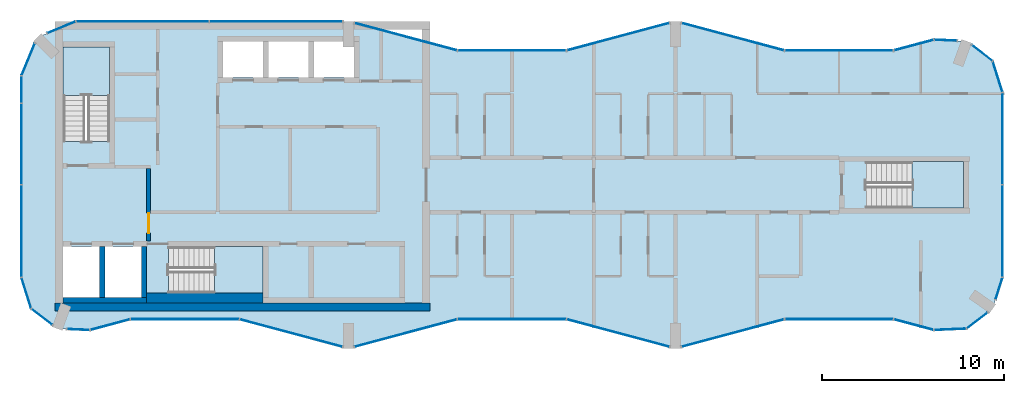
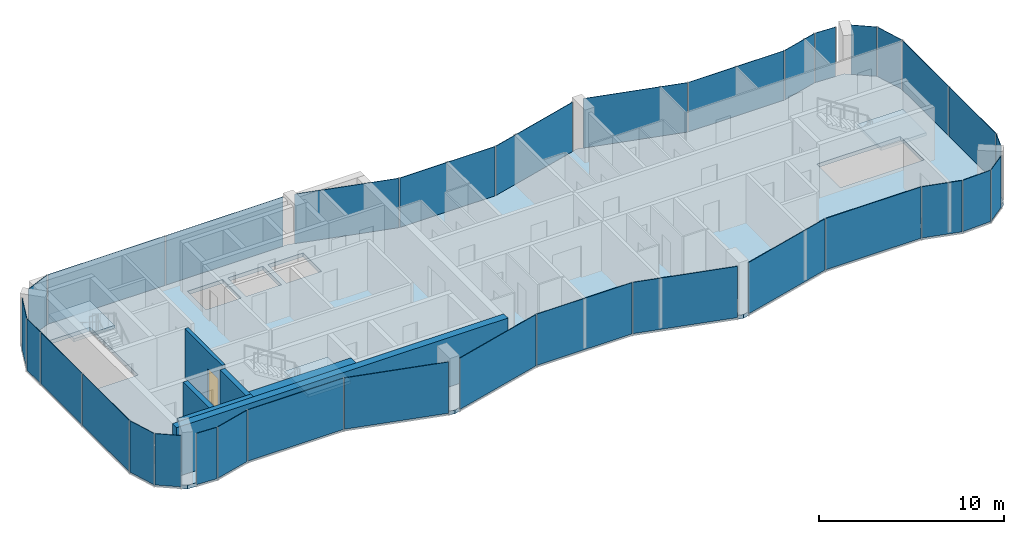
# One storey, part 6 of 10: 33 plates, 6 walls, 4 slabs, 1 door, 1 opening, 32 elements without a shape of their own.
"""IFC4 building model written with IfcOpenShell, lengths in metres."""

from ifc_helpers import new_model, si_unit, direction, frame, frame_2d, origin, origin_2d, place, context, subcontext, project, spatial, polyline, rectangle, outline, extrude, material, layer, layer_set, type_object, element, fill, aggregate, save


model = new_model("IFC4")

# Units and contexts
model_context = context("Model", 3, precision=1e-05, world=origin(), true_north=direction((0.0, 1.0)))
body_context = subcontext(model_context, "Body", "Model", "MODEL_VIEW")
ifc_project = project(units=[si_unit("LENGTHUNIT", "METRE"), si_unit("AREAUNIT", "SQUARE_METRE"), si_unit("VOLUMEUNIT", "CUBIC_METRE"), si_unit("PLANEANGLEUNIT", "RADIAN"), si_unit("MASSUNIT", "GRAM", prefix="KILO")], contexts=[model_context])

# Site, building, storey
site_placement = place(None, origin())
site = spatial("IfcSite", under=ifc_project, at=site_placement, CompositionType="ELEMENT")
building_placement = place(site_placement, origin())
building = spatial("IfcBuilding", under=site, at=building_placement, Name="Plateau Cross Towers", CompositionType="ELEMENT")
storey_placement = place(building_placement, frame((0.0, 0.0, 259.89990234375)))
storey = spatial("IfcBuildingStorey", under=building, at=storey_placement, Name="L68", CompositionType="ELEMENT", Elevation=259.89990234375)

# Curtain wall, plate
ifc_material_1 = material(Name="Dark low-iron glass", Category="glass")
ifc_layer_1 = layer(ifc_material_1, 0.239990234375)
ifc_layer_set_1 = layer_set([ifc_layer_1], Name="Dark low-iron glass")
curtain_wall_type_1 = type_object("IfcCurtainWallType", Name="Curtain wall flush unitised CW-B", PredefinedType="NOTDEFINED", material=ifc_layer_set_1)
curtain_wall_1_placement = place(storey_placement, origin())
curtain_wall_1 = element("IfcCurtainWall", 1, at=curtain_wall_1_placement, inside=storey, type_object=curtain_wall_type_1, Name="ENV/A/L68/A502_10", PredefinedType="NOTDEFINED")
ifc_layer_2 = layer(ifc_material_1, 0.031982421875)
ifc_layer_set_2 = layer_set([ifc_layer_2], Name="Dark low-iron glass")
plate_type_1 = type_object("IfcPlateType", Name="Glass panel 32 flush unitised", PredefinedType="CURTAIN_PANEL", material=ifc_layer_set_2)
plate_1_placement = place(storey_placement, frame((51.125, 1.05078125, -0.1298828125), z_axis=(0.0, 0.0, 1.0), x_axis=(0.999043701491, 0.043722791671, 0.0)))
plate_1 = element("IfcPlate", 2, at=plate_1_placement, type_object=plate_type_1, Name="CW-B panel 1", PredefinedType="CURTAIN_PANEL", context=body_context, shape_type="SweptSolid", body=[
    extrude(rectangle(XDim=1.744140625, YDim=0.031982421875, at=origin_2d()), origin(), (0.0, 0.0, 1.0), 3.3798828125),
])
aggregate(curtain_wall_1, [plate_1])

curtain_wall_2_placement = place(storey_placement, origin())
curtain_wall_2 = element("IfcCurtainWall", 3, at=curtain_wall_2_placement, inside=storey, type_object=curtain_wall_type_1, Name="ENV/A/L68/A520_11", PredefinedType="NOTDEFINED")
plate_2_placement = place(storey_placement, frame((52.60986328125, 1.5380859375, -0.1298828125), z_axis=(0.0, 0.0, 1.0), x_axis=(0.793315514529, 0.608810721331, 0.0)))
plate_2 = element("IfcPlate", 4, at=plate_2_placement, type_object=plate_type_1, Name="CW-B panel 1", PredefinedType="CURTAIN_PANEL", context=body_context, shape_type="SweptSolid", body=[
    extrude(rectangle(XDim=1.41162109375, YDim=0.031982421875, at=origin_2d()), origin(), (0.0, 0.0, 1.0), 3.3798828125),
])
aggregate(curtain_wall_2, [plate_2])

curtain_wall_3_placement = place(storey_placement, origin())
curtain_wall_3 = element("IfcCurtainWall", 5, at=curtain_wall_3_placement, inside=storey, type_object=curtain_wall_type_1, Name="ENV/A/L68/A536_27", PredefinedType="NOTDEFINED")
plate_3_placement = place(storey_placement, frame((53.805419921875, 3.292236328125, -0.1298828125), z_axis=(0.0, 0.0, 1.0), x_axis=(0.300686174994, 0.95372313811, 0.0)))
plate_3 = element("IfcPlate", 6, at=plate_3_placement, type_object=plate_type_1, Name="CW-B panel 1", PredefinedType="CURTAIN_PANEL", context=body_context, shape_type="SweptSolid", body=[
    extrude(rectangle(XDim=1.233642578125, YDim=0.031982421875, at=origin_2d()), origin(), (0.0, 0.0, 1.0), 3.3798828125),
])
aggregate(curtain_wall_3, [plate_3])

# Curtain wall, plates
curtain_wall_4_placement = place(storey_placement, origin())
curtain_wall_4 = element("IfcCurtainWall", 7, at=curtain_wall_4_placement, inside=storey, type_object=curtain_wall_type_1, Name="ENV/A/L68/A540_39", PredefinedType="NOTDEFINED")
plate_4_placement = place(storey_placement, frame((54.0, 6.45458984375, -0.1298828125), z_axis=(0.0, 0.0, 1.0), x_axis=(0.0, 1.0, 0.0)))
plate_4 = element("IfcPlate", 8, at=plate_4_placement, type_object=plate_type_1, Name="CW-B panel 1", PredefinedType="CURTAIN_PANEL", context=body_context, shape_type="SweptSolid", body=[
    extrude(rectangle(XDim=5.03076171875, YDim=0.031982421875, at=origin_2d()), origin(), (0.0, 0.0, 1.0), 3.3798828125),
])
plate_5_placement = place(storey_placement, frame((54.0, 11.54541015625, -0.1298828125), z_axis=(0.0, 0.0, 1.0), x_axis=(0.0, 1.0, 0.0)))
plate_5 = element("IfcPlate", 9, at=plate_5_placement, type_object=plate_type_1, Name="CW-B panel 2", PredefinedType="CURTAIN_PANEL", context=body_context, shape_type="SweptSolid", body=[
    extrude(rectangle(XDim=5.03076171875, YDim=0.031982421875, at=origin_2d()), origin(), (0.0, 0.0, 1.0), 3.3798828125),
])
aggregate(curtain_wall_4, [plate_4, plate_5])

# Curtain wall, plate
curtain_wall_5_placement = place(storey_placement, origin())
curtain_wall_5 = element("IfcCurtainWall", 10, at=curtain_wall_5_placement, inside=storey, type_object=curtain_wall_type_1, Name="ENV/A/L68/A540_141", PredefinedType="NOTDEFINED")
plate_6_placement = place(storey_placement, frame((53.728759765625, 14.951171875, -0.1298828125), z_axis=(0.0, 0.0, 1.0), x_axis=(-0.300686174994, 0.95372313811, 0.0)))
plate_6 = element("IfcPlate", 11, at=plate_6_placement, type_object=plate_type_1, Name="CW-B panel 1", PredefinedType="CURTAIN_PANEL", context=body_context, shape_type="SweptSolid", body=[
    extrude(rectangle(XDim=1.744140625, YDim=0.031982421875, at=origin_2d()), origin(), (0.0, 0.0, 1.0), 3.3798828125),
])
aggregate(curtain_wall_5, [plate_6])

curtain_wall_6_placement = place(storey_placement, origin())
curtain_wall_6 = element("IfcCurtainWall", 12, at=curtain_wall_6_placement, inside=storey, type_object=curtain_wall_type_1, Name="ENV/A/L68/A535_158", PredefinedType="NOTDEFINED")
plate_7_placement = place(storey_placement, frame((52.873779296875, 16.25927734375, -0.1298828125), z_axis=(0.0, 0.0, 1.0), x_axis=(-0.793315514529, 0.608810721331, 0.0)))
plate_7 = element("IfcPlate", 13, at=plate_7_placement, type_object=plate_type_1, Name="CW-B panel 1", PredefinedType="CURTAIN_PANEL", context=body_context, shape_type="SweptSolid", body=[
    extrude(rectangle(XDim=1.41162109375, YDim=0.031982421875, at=origin_2d()), origin(), (0.0, 0.0, 1.0), 3.3798828125),
])
aggregate(curtain_wall_6, [plate_7])

curtain_wall_7_placement = place(storey_placement, origin())
curtain_wall_7 = element("IfcCurtainWall", 14, at=curtain_wall_7_placement, inside=storey, type_object=curtain_wall_type_1, Name="ENV/A/L68/A515_169", PredefinedType="NOTDEFINED")
plate_8_placement = place(storey_placement, frame((50.8701171875, 16.96044921875, -0.1298828125), z_axis=(0.0, 0.0, 1.0), x_axis=(-0.999043701491, 0.043722791671, 0.0)))
plate_8 = element("IfcPlate", 15, at=plate_8_placement, type_object=plate_type_1, Name="CW-B panel 1", PredefinedType="CURTAIN_PANEL", context=body_context, shape_type="SweptSolid", body=[
    extrude(rectangle(XDim=1.233642578125, YDim=0.031982421875, at=origin_2d()), origin(), (0.0, 0.0, 1.0), 3.3798828125),
])
aggregate(curtain_wall_7, [plate_8])

# Curtain wall, plates
curtain_wall_8_placement = place(storey_placement, origin())
curtain_wall_8 = element("IfcCurtainWall", 16, at=curtain_wall_8_placement, inside=storey, type_object=curtain_wall_type_1, Name="ENV/A/L68/A177_180", PredefinedType="NOTDEFINED")
plate_9_placement = place(storey_placement, frame((14.02490234375, 18.0, -0.1298828125), z_axis=(0.0, 0.0, 1.0), x_axis=(-1.0, 0.0, 0.0)))
plate_9 = element("IfcPlate", 17, at=plate_9_placement, type_object=plate_type_1, Name="CW-B panel 1", PredefinedType="CURTAIN_PANEL", context=body_context, shape_type="SweptSolid", body=[
    extrude(rectangle(XDim=7.2900390625, YDim=0.031982421875, at=origin_2d()), origin(), (0.0, 0.0, 1.0), 3.3798828125),
])
plate_10_placement = place(storey_placement, frame((6.675048828125, 18.0, -0.1298828125), z_axis=(0.0, 0.0, 1.0), x_axis=(-1.0, 0.0, 0.0)))
plate_10 = element("IfcPlate", 18, at=plate_10_placement, type_object=plate_type_1, Name="CW-B panel 2", PredefinedType="CURTAIN_PANEL", context=body_context, shape_type="SweptSolid", body=[
    extrude(rectangle(XDim=7.2900390625, YDim=0.031982421875, at=origin_2d()), origin(), (0.0, 0.0, 1.0), 3.3798828125),
])
aggregate(curtain_wall_8, [plate_9, plate_10])

# Curtain wall, plate
curtain_wall_9_placement = place(storey_placement, origin())
curtain_wall_9 = element("IfcCurtainWall", 19, at=curtain_wall_9_placement, inside=storey, type_object=curtain_wall_type_1, Name="ENV/A/L68/A30_180", PredefinedType="NOTDEFINED")
plate_11_placement = place(storey_placement, frame((2.20166015625, 17.66943359375, -0.1298828125), z_axis=(0.0, 0.0, 1.0), x_axis=(-0.923879457699, -0.382683612978, 0.0)))
plate_11 = element("IfcPlate", 20, at=plate_11_placement, type_object=plate_type_1, Name="CW-B panel 1", PredefinedType="CURTAIN_PANEL", context=body_context, shape_type="SweptSolid", body=[
    extrude(rectangle(XDim=1.668212890625, YDim=0.031982421875, at=origin_2d()), origin(), (0.0, 0.0, 1.0), 3.3798828125),
])
aggregate(curtain_wall_9, [plate_11])

curtain_wall_10_placement = place(storey_placement, origin())
curtain_wall_10 = element("IfcCurtainWall", 21, at=curtain_wall_10_placement, inside=storey, type_object=curtain_wall_type_1, Name="ENV/A/L68/A7_168", PredefinedType="NOTDEFINED")
plate_12_placement = place(storey_placement, frame((0.3740234375, 15.90283203125, -0.1298828125), z_axis=(0.0, 0.0, 1.0), x_axis=(-0.382683612978, -0.923879457699, 0.0)))
plate_12 = element("IfcPlate", 22, at=plate_12_placement, type_object=plate_type_1, Name="CW-B panel 1", PredefinedType="CURTAIN_PANEL", context=body_context, shape_type="SweptSolid", body=[
    extrude(rectangle(XDim=1.894775390625, YDim=0.031982421875, at=origin_2d()), origin(), (0.0, 0.0, 1.0), 3.3798828125),
])
aggregate(curtain_wall_10, [plate_12])

# Curtain wall, plates
curtain_wall_11_placement = place(storey_placement, origin())
curtain_wall_11 = element("IfcCurtainWall", 23, at=curtain_wall_11_placement, inside=storey, type_object=curtain_wall_type_1, Name="ENV/A/L68/A0_150", PredefinedType="NOTDEFINED")
plate_13_placement = place(storey_placement, frame((0.0, 14.25, -0.1298828125), z_axis=(0.0, 0.0, 1.0), x_axis=(0.0, -1.0, 0.0)))
plate_13 = element("IfcPlate", 24, at=plate_13_placement, type_object=plate_type_1, Name="CW-B panel 1", PredefinedType="CURTAIN_PANEL", context=body_context, shape_type="SweptSolid", body=[
    extrude(rectangle(XDim=1.43994140625, YDim=0.031982421875, at=origin_2d()), origin(), (0.0, 0.0, 1.0), 3.3798828125),
])
plate_14_placement = place(storey_placement, frame((0.0, 11.25, -0.1298828125), z_axis=(0.0, 0.0, 1.0), x_axis=(0.0, -1.0, 0.0)))
plate_14 = element("IfcPlate", 25, at=plate_14_placement, type_object=plate_type_1, Name="CW-B panel 2", PredefinedType="CURTAIN_PANEL", context=body_context, shape_type="SweptSolid", body=[
    extrude(rectangle(XDim=4.43994140625, YDim=0.031982421875, at=origin_2d()), origin(), (0.0, 0.0, 1.0), 3.3798828125),
])
plate_15_placement = place(storey_placement, frame((0.0, 6.45458984375, -0.1298828125), z_axis=(0.0, 0.0, 1.0), x_axis=(0.0, -1.0, 0.0)))
plate_15 = element("IfcPlate", 26, at=plate_15_placement, type_object=plate_type_1, Name="CW-B panel 3", PredefinedType="CURTAIN_PANEL", context=body_context, shape_type="SweptSolid", body=[
    extrude(rectangle(XDim=5.03076171875, YDim=0.031982421875, at=origin_2d()), origin(), (0.0, 0.0, 1.0), 3.3798828125),
])
aggregate(curtain_wall_11, [plate_13, plate_14, plate_15])

# Curtain wall, plate
curtain_wall_12_placement = place(storey_placement, origin())
curtain_wall_12 = element("IfcCurtainWall", 27, at=curtain_wall_12_placement, inside=storey, type_object=curtain_wall_type_1, Name="ENV/A/L68/A0_39", PredefinedType="NOTDEFINED")
plate_16_placement = place(storey_placement, frame((0.271240234375, 3.048828125, -0.1298828125), z_axis=(0.0, 0.0, 1.0), x_axis=(0.300686174994, -0.95372313811, 0.0)))
plate_16 = element("IfcPlate", 28, at=plate_16_placement, type_object=plate_type_1, Name="CW-B panel 1", PredefinedType="CURTAIN_PANEL", context=body_context, shape_type="SweptSolid", body=[
    extrude(rectangle(XDim=1.744140625, YDim=0.031982421875, at=origin_2d()), origin(), (0.0, 0.0, 1.0), 3.3798828125),
])
aggregate(curtain_wall_12, [plate_16])

curtain_wall_13_placement = place(storey_placement, origin())
curtain_wall_13 = element("IfcCurtainWall", 29, at=curtain_wall_13_placement, inside=storey, type_object=curtain_wall_type_1, Name="ENV/A/L68/A5_22", PredefinedType="NOTDEFINED")
plate_17_placement = place(storey_placement, frame((1.126220703125, 1.74072265625, -0.1298828125), z_axis=(0.0, 0.0, 1.0), x_axis=(0.793315514529, -0.608810721331, 0.0)))
plate_17 = element("IfcPlate", 30, at=plate_17_placement, type_object=plate_type_1, Name="CW-B panel 1", PredefinedType="CURTAIN_PANEL", context=body_context, shape_type="SweptSolid", body=[
    extrude(rectangle(XDim=1.41162109375, YDim=0.031982421875, at=origin_2d()), origin(), (0.0, 0.0, 1.0), 3.3798828125),
])
aggregate(curtain_wall_13, [plate_17])

curtain_wall_14_placement = place(storey_placement, origin())
curtain_wall_14 = element("IfcCurtainWall", 31, at=curtain_wall_14_placement, inside=storey, type_object=curtain_wall_type_1, Name="ENV/A/L68/A25_11", PredefinedType="NOTDEFINED")
plate_18_placement = place(storey_placement, frame((3.1298828125, 1.03955078125, -0.1298828125), z_axis=(0.0, 0.0, 1.0), x_axis=(0.999043701491, -0.043722791671, 0.0)))
plate_18 = element("IfcPlate", 32, at=plate_18_placement, type_object=plate_type_1, Name="CW-B panel 1", PredefinedType="CURTAIN_PANEL", context=body_context, shape_type="SweptSolid", body=[
    extrude(rectangle(XDim=1.233642578125, YDim=0.031982421875, at=origin_2d()), origin(), (0.0, 0.0, 1.0), 3.3798828125),
])
aggregate(curtain_wall_14, [plate_18])

ifc_layer_3 = layer(ifc_material_1, 0.260009765625)
ifc_layer_set_3 = layer_set([ifc_layer_3], Name="Dark low-iron glass")
curtain_wall_type_2 = type_object("IfcCurtainWallType", Name="Curtain wall fluted unitised CW-A", PredefinedType="NOTDEFINED", material=ifc_layer_set_3)
curtain_wall_15_placement = place(storey_placement, origin())
curtain_wall_15 = element("IfcCurtainWall", 33, at=curtain_wall_15_placement, inside=storey, type_object=curtain_wall_type_2, Name="ENV/A/L68/A38_10", PredefinedType="NOTDEFINED")
ifc_layer_4 = layer(ifc_material_1, 0.035888671875)
ifc_layer_set_4 = layer_set([ifc_layer_4], Name="Dark low-iron glass")
plate_type_2 = type_object("IfcPlateType", Name="Glass panel 36 fluted unitised", PredefinedType="CURTAIN_PANEL", material=ifc_layer_set_4)
plate_19_placement = place(storey_placement, frame((4.887939453125, 1.30908203125, -0.1298828125), z_axis=(0.0, 0.0, 1.0), x_axis=(0.965957962328, 0.258699081978, 0.0)))
plate_19 = element("IfcPlate", 34, at=plate_19_placement, type_object=plate_type_2, Name="CW-A panel 1", PredefinedType="CURTAIN_PANEL", context=body_context, shape_type="SweptSolid", body=[
    extrude(rectangle(XDim=2.2421875, YDim=0.035888671875, at=origin_2d()), origin(), (0.0, 0.0, 1.0), 3.3798828125),
])
aggregate(curtain_wall_15, [plate_19])

curtain_wall_16_placement = place(storey_placement, origin())
curtain_wall_16 = element("IfcCurtainWall", 35, at=curtain_wall_16_placement, inside=storey, type_object=curtain_wall_type_2, Name="ENV/A/L68/A60_16", PredefinedType="NOTDEFINED")
plate_20_placement = place(storey_placement, frame((9.0, 1.60693359375, -0.1298828125), z_axis=(0.0, 0.0, 1.0), x_axis=(1.0, 0.0, 0.0)))
plate_20 = element("IfcPlate", 36, at=plate_20_placement, type_object=plate_type_2, Name="CW-A panel 1", PredefinedType="CURTAIN_PANEL", context=body_context, shape_type="SweptSolid", body=[
    extrude(rectangle(XDim=5.93994140625, YDim=0.035888671875, at=origin_2d()), origin(), (0.0, 0.0, 1.0), 3.3798828125),
])
aggregate(curtain_wall_16, [plate_20])

curtain_wall_17_placement = place(storey_placement, origin())
curtain_wall_17 = element("IfcCurtainWall", 37, at=curtain_wall_17_placement, inside=storey, type_object=curtain_wall_type_2, Name="ENV/A/L68/A120_16", PredefinedType="NOTDEFINED")
plate_21_placement = place(storey_placement, frame((14.841064453125, 0.845947265625, -0.1298828125), z_axis=(0.0, 0.0, 1.0), x_axis=(0.965957983404, -0.258699003279, 0.0)))
plate_21 = element("IfcPlate", 38, at=plate_21_placement, type_object=plate_type_2, Name="CW-A panel 1", PredefinedType="CURTAIN_PANEL", context=body_context, shape_type="SweptSolid", body=[
    extrude(rectangle(XDim=5.822265625, YDim=0.035888671875, at=origin_2d()), origin(), (0.0, 0.0, 1.0), 3.3798828125),
])
aggregate(curtain_wall_17, [plate_21])

curtain_wall_18_placement = place(storey_placement, origin())
curtain_wall_18 = element("IfcCurtainWall", 39, at=curtain_wall_18_placement, inside=storey, type_object=curtain_wall_type_2, Name="ENV/A/L68/A183_1", PredefinedType="NOTDEFINED")
plate_22_placement = place(storey_placement, frame((21.158935546875, 0.845947265625, -0.1298828125), z_axis=(0.0, 0.0, 1.0), x_axis=(0.965957983404, 0.258699003279, 0.0)))
plate_22 = element("IfcPlate", 40, at=plate_22_placement, type_object=plate_type_2, Name="CW-A panel 1", PredefinedType="CURTAIN_PANEL", context=body_context, shape_type="SweptSolid", body=[
    extrude(rectangle(XDim=5.822265625, YDim=0.035888671875, at=origin_2d()), origin(), (0.0, 0.0, 1.0), 3.3798828125),
])
aggregate(curtain_wall_18, [plate_22])

curtain_wall_19_placement = place(storey_placement, origin())
curtain_wall_19 = element("IfcCurtainWall", 41, at=curtain_wall_19_placement, inside=storey, type_object=curtain_wall_type_2, Name="ENV/A/L68/A240_16", PredefinedType="NOTDEFINED")
plate_23_placement = place(storey_placement, frame((27.0, 1.60693359375, -0.1298828125), z_axis=(0.0, 0.0, 1.0), x_axis=(1.0, 0.0, 0.0)))
plate_23 = element("IfcPlate", 42, at=plate_23_placement, type_object=plate_type_2, Name="CW-A panel 1", PredefinedType="CURTAIN_PANEL", context=body_context, shape_type="SweptSolid", body=[
    extrude(rectangle(XDim=5.93994140625, YDim=0.035888671875, at=origin_2d()), origin(), (0.0, 0.0, 1.0), 3.3798828125),
])
aggregate(curtain_wall_19, [plate_23])

curtain_wall_20_placement = place(storey_placement, origin())
curtain_wall_20 = element("IfcCurtainWall", 43, at=curtain_wall_20_placement, inside=storey, type_object=curtain_wall_type_2, Name="ENV/A/L68/A300_16", PredefinedType="NOTDEFINED")
plate_24_placement = place(storey_placement, frame((32.841064453125, 0.845947265625, -0.1298828125), z_axis=(0.0, 0.0, 1.0), x_axis=(0.965957983404, -0.258699003279, 0.0)))
plate_24 = element("IfcPlate", 44, at=plate_24_placement, type_object=plate_type_2, Name="CW-A panel 1", PredefinedType="CURTAIN_PANEL", context=body_context, shape_type="SweptSolid", body=[
    extrude(rectangle(XDim=5.822265625, YDim=0.035888671875, at=origin_2d()), origin(), (0.0, 0.0, 1.0), 3.3798828125),
])
aggregate(curtain_wall_20, [plate_24])

curtain_wall_21_placement = place(storey_placement, origin())
curtain_wall_21 = element("IfcCurtainWall", 45, at=curtain_wall_21_placement, inside=storey, type_object=curtain_wall_type_2, Name="ENV/A/L68/A363_1", PredefinedType="NOTDEFINED")
plate_25_placement = place(storey_placement, frame((39.158935546875, 0.845947265625, -0.1298828125), z_axis=(0.0, 0.0, 1.0), x_axis=(0.965957983404, 0.258699003279, 0.0)))
plate_25 = element("IfcPlate", 46, at=plate_25_placement, type_object=plate_type_2, Name="CW-A panel 1", PredefinedType="CURTAIN_PANEL", context=body_context, shape_type="SweptSolid", body=[
    extrude(rectangle(XDim=5.822265625, YDim=0.035888671875, at=origin_2d()), origin(), (0.0, 0.0, 1.0), 3.3798828125),
])
aggregate(curtain_wall_21, [plate_25])

curtain_wall_22_placement = place(storey_placement, origin())
curtain_wall_22 = element("IfcCurtainWall", 47, at=curtain_wall_22_placement, inside=storey, type_object=curtain_wall_type_2, Name="ENV/A/L68/A420_16", PredefinedType="NOTDEFINED")
plate_26_placement = place(storey_placement, frame((45.0, 1.60693359375, -0.1298828125), z_axis=(0.0, 0.0, 1.0), x_axis=(1.0, 0.0, 0.0)))
plate_26 = element("IfcPlate", 48, at=plate_26_placement, type_object=plate_type_2, Name="CW-A panel 1", PredefinedType="CURTAIN_PANEL", context=body_context, shape_type="SweptSolid", body=[
    extrude(rectangle(XDim=5.93994140625, YDim=0.035888671875, at=origin_2d()), origin(), (0.0, 0.0, 1.0), 3.3798828125),
])
aggregate(curtain_wall_22, [plate_26])

curtain_wall_23_placement = place(storey_placement, origin())
curtain_wall_23 = element("IfcCurtainWall", 49, at=curtain_wall_23_placement, inside=storey, type_object=curtain_wall_type_2, Name="ENV/A/L68/A480_16", PredefinedType="NOTDEFINED")
plate_27_placement = place(storey_placement, frame((49.112060546875, 1.30908203125, -0.1298828125), z_axis=(0.0, 0.0, 1.0), x_axis=(0.965957962328, -0.258699081978, 0.0)))
plate_27 = element("IfcPlate", 50, at=plate_27_placement, type_object=plate_type_2, Name="CW-A panel 1", PredefinedType="CURTAIN_PANEL", context=body_context, shape_type="SweptSolid", body=[
    extrude(rectangle(XDim=2.2421875, YDim=0.035888671875, at=origin_2d()), origin(), (0.0, 0.0, 1.0), 3.3798828125),
])
aggregate(curtain_wall_23, [plate_27])

curtain_wall_24_placement = place(storey_placement, origin())
curtain_wall_24 = element("IfcCurtainWall", 51, at=curtain_wall_24_placement, inside=storey, type_object=curtain_wall_type_2, Name="ENV/A/L68/A502_170", PredefinedType="NOTDEFINED")
plate_28_placement = place(storey_placement, frame((49.112060546875, 16.69091796875, -0.1298828125), z_axis=(0.0, 0.0, 1.0), x_axis=(-0.965957962328, -0.258699081978, 0.0)))
plate_28 = element("IfcPlate", 52, at=plate_28_placement, type_object=plate_type_2, Name="CW-A panel 1", PredefinedType="CURTAIN_PANEL", context=body_context, shape_type="SweptSolid", body=[
    extrude(rectangle(XDim=2.2421875, YDim=0.035888671875, at=origin_2d()), origin(), (0.0, 0.0, 1.0), 3.3798828125),
])
aggregate(curtain_wall_24, [plate_28])

curtain_wall_25_placement = place(storey_placement, origin())
curtain_wall_25 = element("IfcCurtainWall", 53, at=curtain_wall_25_placement, inside=storey, type_object=curtain_wall_type_2, Name="ENV/A/L68/A480_164", PredefinedType="NOTDEFINED")
plate_29_placement = place(storey_placement, frame((45.0, 16.39306640625, -0.1298828125), z_axis=(0.0, 0.0, 1.0), x_axis=(-1.0, 0.0, 0.0)))
plate_29 = element("IfcPlate", 54, at=plate_29_placement, type_object=plate_type_2, Name="CW-A panel 1", PredefinedType="CURTAIN_PANEL", context=body_context, shape_type="SweptSolid", body=[
    extrude(rectangle(XDim=5.93994140625, YDim=0.035888671875, at=origin_2d()), origin(), (0.0, 0.0, 1.0), 3.3798828125),
])
aggregate(curtain_wall_25, [plate_29])

curtain_wall_26_placement = place(storey_placement, origin())
curtain_wall_26 = element("IfcCurtainWall", 55, at=curtain_wall_26_placement, inside=storey, type_object=curtain_wall_type_2, Name="ENV/A/L68/A420_164", PredefinedType="NOTDEFINED")
plate_30_placement = place(storey_placement, frame((39.158935546875, 17.154052734375, -0.1298828125), z_axis=(0.0, 0.0, 1.0), x_axis=(-0.965957983404, 0.258699003279, 0.0)))
plate_30 = element("IfcPlate", 56, at=plate_30_placement, type_object=plate_type_2, Name="CW-A panel 1", PredefinedType="CURTAIN_PANEL", context=body_context, shape_type="SweptSolid", body=[
    extrude(rectangle(XDim=5.822265625, YDim=0.035888671875, at=origin_2d()), origin(), (0.0, 0.0, 1.0), 3.3798828125),
])
aggregate(curtain_wall_26, [plate_30])

curtain_wall_27_placement = place(storey_placement, origin())
curtain_wall_27 = element("IfcCurtainWall", 57, at=curtain_wall_27_placement, inside=storey, type_object=curtain_wall_type_2, Name="ENV/A/L68/A357_179", PredefinedType="NOTDEFINED")
plate_31_placement = place(storey_placement, frame((32.841064453125, 17.154052734375, -0.1298828125), z_axis=(0.0, 0.0, 1.0), x_axis=(-0.965957983404, -0.258699003279, 0.0)))
plate_31 = element("IfcPlate", 58, at=plate_31_placement, type_object=plate_type_2, Name="CW-A panel 1", PredefinedType="CURTAIN_PANEL", context=body_context, shape_type="SweptSolid", body=[
    extrude(rectangle(XDim=5.822265625, YDim=0.035888671875, at=origin_2d()), origin(), (0.0, 0.0, 1.0), 3.3798828125),
])
aggregate(curtain_wall_27, [plate_31])

curtain_wall_28_placement = place(storey_placement, origin())
curtain_wall_28 = element("IfcCurtainWall", 59, at=curtain_wall_28_placement, inside=storey, type_object=curtain_wall_type_2, Name="ENV/A/L68/A300_164", PredefinedType="NOTDEFINED")
plate_32_placement = place(storey_placement, frame((27.0, 16.39306640625, -0.1298828125), z_axis=(0.0, 0.0, 1.0), x_axis=(-1.0, 0.0, 0.0)))
plate_32 = element("IfcPlate", 60, at=plate_32_placement, type_object=plate_type_2, Name="CW-A panel 1", PredefinedType="CURTAIN_PANEL", context=body_context, shape_type="SweptSolid", body=[
    extrude(rectangle(XDim=5.93994140625, YDim=0.035888671875, at=origin_2d()), origin(), (0.0, 0.0, 1.0), 3.3798828125),
])
aggregate(curtain_wall_28, [plate_32])

curtain_wall_29_placement = place(storey_placement, origin())
curtain_wall_29 = element("IfcCurtainWall", 61, at=curtain_wall_29_placement, inside=storey, type_object=curtain_wall_type_2, Name="ENV/A/L68/A240_164", PredefinedType="NOTDEFINED")
plate_33_placement = place(storey_placement, frame((21.158935546875, 17.154052734375, -0.1298828125), z_axis=(0.0, 0.0, 1.0), x_axis=(-0.965957983404, 0.258699003279, 0.0)))
plate_33 = element("IfcPlate", 62, at=plate_33_placement, type_object=plate_type_2, Name="CW-A panel 1", PredefinedType="CURTAIN_PANEL", context=body_context, shape_type="SweptSolid", body=[
    extrude(rectangle(XDim=5.822265625, YDim=0.035888671875, at=origin_2d()), origin(), (0.0, 0.0, 1.0), 3.3798828125),
])
aggregate(curtain_wall_29, [plate_33])

# Slab
ifc_material_2 = material(Name="Concrete C40/50", Category="concrete")
ifc_layer_5 = layer(ifc_material_2, 0.25)
ifc_layer_set_5 = layer_set([ifc_layer_5], Name="Concrete C40/50")
slab_type_1 = type_object("IfcSlabType", Name="Post-tensioned flat plate slab 250", PredefinedType="FLOOR", material=ifc_layer_set_5)
slab_1_placement = place(storey_placement, frame((0.0, 0.0, -0.25)))
element("IfcSlab", 63, at=slab_1_placement, inside=storey, type_object=slab_type_1, Name="SL-A-L68", PredefinedType="FLOOR", context=body_context, shape_type="SweptSolid", body=[
    extrude(outline(polyline([(1.9736328125, 1.090087890625), (0.54248046875, 2.1884765625), (0.0, 3.9091796875), (0.0, 15.0), (0.878662109375, 17.121337890625), (3.0, 18.0), (18.0, 18.0), (24.0, 16.39306640625), (30.0, 16.39306640625), (36.0, 18.0), (42.0, 16.39306640625), (48.0, 16.39306640625), (50.223876953125, 16.98876953125), (52.0263671875, 16.909912109375), (53.45751953125, 15.8115234375), (54.0, 14.0908203125), (54.0, 3.9091796875), (53.45751953125, 2.1884765625), (52.0263671875, 1.090087890625), (50.223876953125, 1.01123046875), (48.0, 1.60693359375), (42.0, 1.60693359375), (36.0, 0.0), (30.0, 1.60693359375), (24.0, 1.60693359375), (18.0, 0.0), (12.0, 1.60693359375), (6.0, 1.60693359375), (3.776123046875, 1.01123046875), (1.9736328125, 1.090087890625)]), holes=[polyline([(4.300048828125, 5.60009765625), (2.300048828125, 5.60009765625), (2.300048828125, 2.800048828125), (4.300048828125, 2.800048828125), (4.300048828125, 5.60009765625)]), polyline([(6.60009765625, 5.60009765625), (4.60009765625, 5.60009765625), (4.60009765625, 2.800048828125), (6.60009765625, 2.800048828125), (6.60009765625, 5.60009765625)]), polyline([(13.300048828125, 5.60009765625), (8.10009765625, 5.60009765625), (8.10009765625, 3.050048828125), (13.300048828125, 3.050048828125), (13.300048828125, 5.60009765625)]), polyline([(51.699951171875, 10.27490234375), (46.5, 10.27490234375), (46.5, 7.72509765625), (51.699951171875, 7.72509765625), (51.699951171875, 10.27490234375)]), polyline([(2.300048828125, 16.60009765625), (2.300048828125, 11.39990234375), (4.85009765625, 11.39990234375), (4.85009765625, 16.60009765625), (2.300048828125, 16.60009765625)]), polyline([(13.300048828125, 16.89990234375), (11.10009765625, 16.89990234375), (11.10009765625, 14.89990234375), (13.300048828125, 14.89990234375), (13.300048828125, 16.89990234375)]), polyline([(15.800048828125, 16.89990234375), (13.60009765625, 16.89990234375), (13.60009765625, 14.89990234375), (15.800048828125, 14.89990234375), (15.800048828125, 16.89990234375)]), polyline([(18.300048828125, 16.89990234375), (16.10009765625, 16.89990234375), (16.10009765625, 14.89990234375), (18.300048828125, 14.89990234375), (18.300048828125, 16.89990234375)])]), origin(), (0.0, 0.0, 1.0), 0.25),
])

# Stair, slab
stair_type = type_object("IfcStairType", Name="ST-TWR", PredefinedType="HALF_TURN_STAIR", material=ifc_material_2)
stair_1_placement = place(storey_placement, origin())
stair_1 = element("IfcStair", 64, at=stair_1_placement, inside=storey, type_object=stair_type, Name="L68 Protected Exit Stair ST-1", PredefinedType="HALF_TURN_STAIR")
ifc_layer_6 = layer(ifc_material_2, 0.199951171875)
ifc_layer_set_6 = layer_set([ifc_layer_6], Name="Concrete C40/50")
slab_type_2 = type_object("IfcSlabType", Name="SL-LANDING", PredefinedType="LANDING", material=ifc_layer_set_6)
slab_2_placement = place(storey_placement, frame((0.0, 0.0, 1.550048828125)))
slab_2 = element("IfcSlab", 65, at=slab_2_placement, type_object=slab_type_2, Name="ST-1 landing 1", PredefinedType="LANDING", context=body_context, shape_type="SweptSolid", body=[
    extrude(outline(polyline([(4.85009765625, 13.919921875), (4.85009765625, 16.60009765625), (2.300048828125, 16.60009765625), (2.300048828125, 13.919921875), (4.85009765625, 13.919921875)])), origin(), (0.0, 0.0, 1.0), 0.199951171875),
])
aggregate(stair_1, [slab_2])

stair_2_placement = place(storey_placement, origin())
stair_2 = element("IfcStair", 66, at=stair_2_placement, inside=storey, type_object=stair_type, Name="L68 Protected Exit Stair ST-2", PredefinedType="HALF_TURN_STAIR")
slab_3_placement = place(storey_placement, frame((0.0, 0.0, 1.550048828125)))
slab_3 = element("IfcSlab", 67, at=slab_3_placement, type_object=slab_type_2, Name="ST-2 landing 1", PredefinedType="LANDING", context=body_context, shape_type="SweptSolid", body=[
    extrude(outline(polyline([(10.6201171875, 3.050048828125), (13.300048828125, 3.050048828125), (13.300048828125, 5.60009765625), (10.6201171875, 5.60009765625), (10.6201171875, 3.050048828125)])), origin(), (0.0, 0.0, 1.0), 0.199951171875),
])
aggregate(stair_2, [slab_3])

stair_3_placement = place(storey_placement, origin())
stair_3 = element("IfcStair", 68, at=stair_3_placement, inside=storey, type_object=stair_type, Name="L68 Protected Exit Stair E", PredefinedType="HALF_TURN_STAIR")
slab_4_placement = place(storey_placement, frame((0.0, 0.0, 1.550048828125)))
slab_4 = element("IfcSlab", 69, at=slab_4_placement, type_object=slab_type_2, Name="ES-E landing 1", PredefinedType="LANDING", context=body_context, shape_type="SweptSolid", body=[
    extrude(outline(polyline([(49.02001953125, 7.72509765625), (51.85009765625, 7.72509765625), (51.85009765625, 10.27490234375), (49.02001953125, 10.27490234375), (49.02001953125, 7.72509765625)])), origin(), (0.0, 0.0, 1.0), 0.199951171875),
])
aggregate(stair_3, [slab_4])

# Wall, opening, door
ifc_material_3 = material(Name="Concrete block, plastered both sides", Category="concrete")
ifc_layer_7 = layer(ifc_material_3, 0.199951171875)
ifc_layer_set_7 = layer_set([ifc_layer_7], Name="Concrete block, plastered both sides")
wall_type_1 = type_object("IfcWallType", Name="Core partition 200", PredefinedType="PARTITIONING", material=ifc_layer_set_7)
wall_1_placement = place(storey_placement, frame((7.0, 5.89990234375, 0.0), z_axis=(0.0, 0.0, 1.0), x_axis=(0.0, 1.0, 0.0)))
wall_1 = element("IfcWall", 70, at=wall_1_placement, inside=storey, type_object=wall_type_1, Name="Core partition", PredefinedType="PARTITIONING", context=body_context, shape_type="SweptSolid", body=[
    extrude(rectangle(XDim=4.0, YDim=0.199951171875, at=frame_2d((2.0, 0.0))), origin(), (0.0, 0.0, 1.0), 3.25),
])
opening_placement = place(wall_1_placement, frame((0.449951171875, 0.0, 0.0)))
opening = element("IfcOpeningElement", 71, at=opening_placement, cuts=wall_1, Name="Opening FFD", PredefinedType="OPENING", context=body_context, shape_type="SweptSolid", body=[
    extrude(rectangle(XDim=1.10009765625, YDim=2.10009765625, at=frame_2d((0.550048828125, 1.050048828125))), frame((0.0, 0.10986328125, 0.0), z_axis=(0.0, -1.0, 0.0), x_axis=(1.0, 0.0, 0.0)), (0.0, 0.0, 1.0), 0.219970703125),
])
ifc_material_4 = material(Name="Steel, fire-resisting leaf", Category="steel")
door_type = type_object("IfcDoorType", Name="Firefighting lobby door 1100", OperationType="NOTDEFINED", PredefinedType="DOOR", material=ifc_material_4)
door_placement = place(opening_placement, origin())
door = element("IfcDoor", 72, at=door_placement, inside=storey, type_object=door_type, Name="Firefighting lobby door FFD", OperationType="SINGLE_SWING_LEFT", OverallHeight=2.10009765625, OverallWidth=1.10009765625, PredefinedType="DOOR", context=body_context, shape_type="SweptSolid", body=[
    extrude(rectangle(XDim=1.10009765625, YDim=2.10009765625, at=frame_2d((0.550048828125, 1.050048828125))), frame((0.0, 0.02490234375, 0.0), z_axis=(0.0, -1.0, 0.0), x_axis=(1.0, 0.0, 0.0)), (0.0, 0.0, 1.0), 0.050048828125),
])
fill(opening, door)

# Walls
ifc_material_5 = material(Name="Concrete C60/75", Category="concrete")
ifc_layer_8 = layer(ifc_material_5, 0.300048828125)
ifc_layer_set_8 = layer_set([ifc_layer_8], Name="Concrete C60/75")
wall_type_2 = type_object("IfcWallType", Name="Core shaft wall 300", PredefinedType="SHEAR", material=ifc_layer_set_8)
wall_2_placement = place(storey_placement, frame((2.300048828125, 2.64990234375, 0.0), z_axis=(0.0, 0.0, 1.0), x_axis=(1.0, 0.0, 0.0)))
element("IfcWall", 73, at=wall_2_placement, inside=storey, type_object=wall_type_2, Name="A-sb-back1@L68", PredefinedType="SHEAR", context=body_context, shape_type="SweptSolid", body=[
    extrude(rectangle(XDim=4.599853515625, YDim=0.300048828125, at=frame_2d((2.2998046875, 0.0))), origin(), (0.0, 0.0, 1.0), 3.25),
])
for number, where, z_axis, x_axis, name in (
    (74, (4.449951171875, 2.800048828125, 0.0), (0.0, 0.0, 1.0), (0.0, 1.0, 0.0), "A-sb-v1@L68"),
    (75, (6.75, 2.800048828125, 0.0), (0.0, 0.0, 1.0), (0.0, 1.0, 0.0), "A-sb-v2@L68"),
):
    element("IfcWall", number, at=place(storey_placement, frame(where, z_axis=z_axis, x_axis=x_axis)), inside=storey, type_object=wall_type_2, Name=name, PredefinedType="SHEAR", context=body_context, shape_type="SweptSolid", body=[
        extrude(rectangle(XDim=2.800048828125, YDim=0.300048828125, at=frame_2d((1.39990234375, 0.0))), origin(), (0.0, 0.0, 1.0), 3.25),
    ])
ifc_layer_9 = layer(ifc_material_5, 0.550048828125)
ifc_layer_set_9 = layer_set([ifc_layer_9], Name="Concrete C60/75")
wall_type_3 = type_object("IfcWallType", Name="Core shaft wall 550", PredefinedType="SHEAR", material=ifc_layer_set_9)
wall_3_placement = place(storey_placement, frame((6.89990234375, 2.77490234375, 0.0), z_axis=(0.0, 0.0, 1.0), x_axis=(1.0, 0.0, 0.0)))
element("IfcWall", 76, at=wall_3_placement, inside=storey, type_object=wall_type_3, Name="A-sb-back2@L68", PredefinedType="SHEAR", context=body_context, shape_type="SweptSolid", body=[
    extrude(rectangle(XDim=6.400146484375, YDim=0.550048828125, at=frame_2d((3.2001953125, 0.0))), origin(), (0.0, 0.0, 1.0), 3.25),
])
ifc_layer_10 = layer(ifc_material_5, 0.449951171875)
ifc_layer_set_10 = layer_set([ifc_layer_10], Name="Concrete C60/75")
wall_type_4 = type_object("IfcWallType", Name="Core shell wall 450", PredefinedType="SHEAR", material=ifc_layer_set_10)
wall_4_placement = place(storey_placement, frame((1.85009765625, 2.27490234375, 0.0), z_axis=(0.0, 0.0, 1.0), x_axis=(1.0, 0.0, 0.0)))
element("IfcWall", 77, at=wall_4_placement, inside=storey, type_object=wall_type_4, Name="A-core-S@L68", PredefinedType="SHEAR", context=body_context, shape_type="SweptSolid", body=[
    extrude(rectangle(XDim=20.64990234375, YDim=0.449951171875, at=frame_2d((10.324951171875, 0.0))), origin(), (0.0, 0.0, 1.0), 3.25),
])

save(model, "model.ifc")
